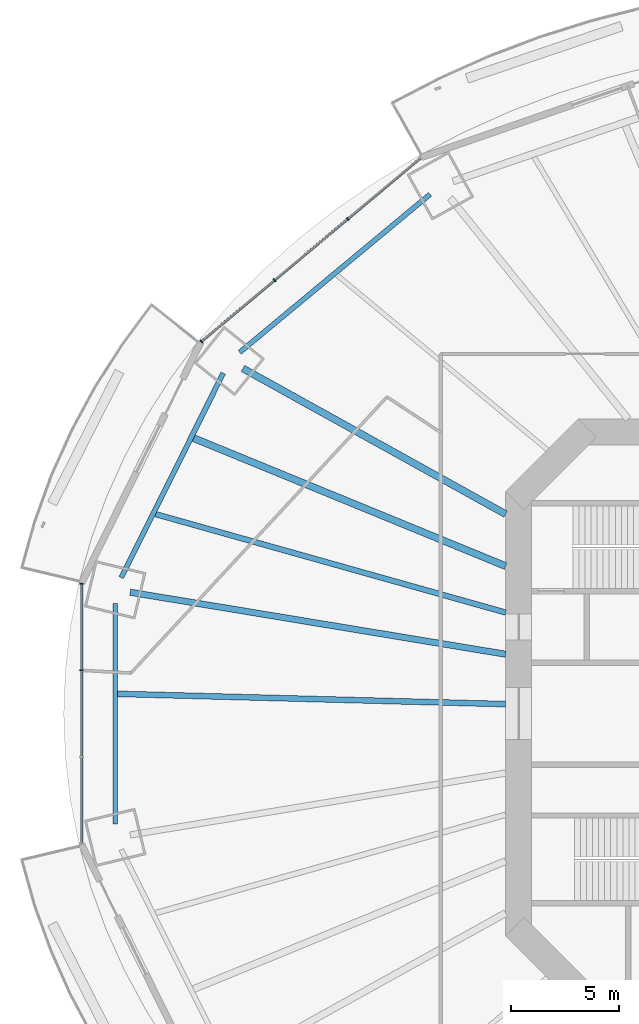
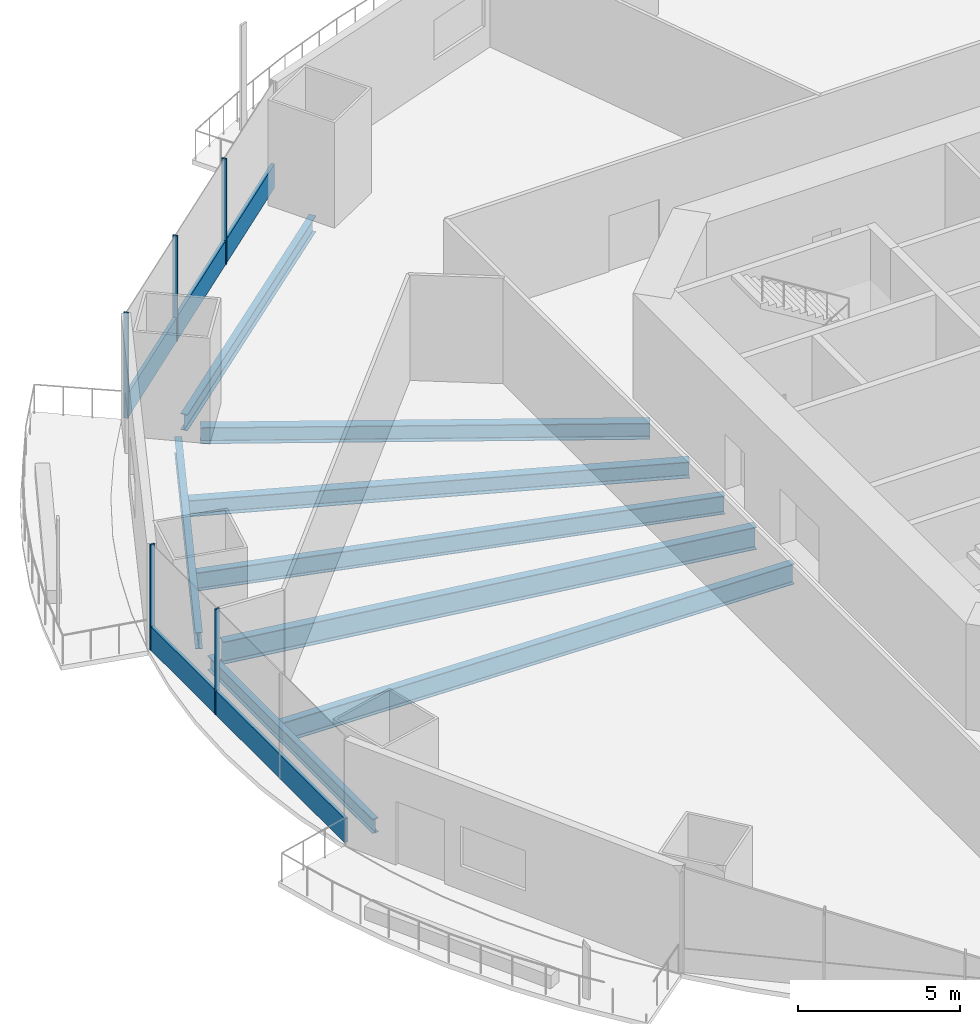
# One storey, part 6 of 23: 8 beams, 7 members, 2 elements without a shape of their own.
"""IFC4 building model written with IfcOpenShell, lengths in metres."""

from ifc_helpers import new_model, si_unit, direction, frame, origin, origin_2d, place, context, subcontext, project, spatial, rectangle, i_section, extrude, material, material_profile, profile_set, type_object, element, aggregate, save


model = new_model("IFC4")

# Units and contexts
model_context = context("Model", 3, precision=1e-05, world=origin(), true_north=direction((0.0, 1.0)))
body_context = subcontext(model_context, "Body", "Model", "MODEL_VIEW")
ifc_project = project(units=[si_unit("LENGTHUNIT", "METRE"), si_unit("AREAUNIT", "SQUARE_METRE"), si_unit("VOLUMEUNIT", "CUBIC_METRE"), si_unit("PLANEANGLEUNIT", "RADIAN"), si_unit("MASSUNIT", "GRAM", prefix="KILO")], contexts=[model_context])

# Site, building, storey
site_placement = place(None, origin())
site = spatial("IfcSite", under=ifc_project, at=site_placement, CompositionType="ELEMENT")
building_placement = place(site_placement, origin())
building = spatial("IfcBuilding", under=site, at=building_placement, Name="Marenthal Gate Tower", CompositionType="ELEMENT")
storey_placement = place(building_placement, frame((0.0, 0.0, 37.14990234375)))
storey = spatial("IfcBuildingStorey", under=building, at=storey_placement, Name="L05", CompositionType="ELEMENT", Elevation=37.14990234375)

# Curtain wall, members
ifc_material_1 = material(Name="Aluminium and glass", Category="aluminium")
curtain_wall_type = type_object("IfcCurtainWallType", Name="Curtain wall typical low", PredefinedType="NOTDEFINED", material=ifc_material_1)
curtain_wall_1_placement = place(storey_placement, origin())
curtain_wall_1 = element("IfcCurtainWall", 1, at=curtain_wall_1_placement, inside=storey, type_object=curtain_wall_type, Name="Curtain wall L05 bay 6", PredefinedType="NOTDEFINED")
ifc_material_2 = material(Name="Aluminium", Category="aluminium")
ifc_material_profile_1 = material_profile(ifc_material_2, rectangle(XDim=0.159912109375, YDim=0.06005859375, at=origin_2d()), Name="60x160 aluminium mullion")
ifc_profile_set_1 = profile_set([ifc_material_profile_1], Name="Aluminium")
member_type_1 = type_object("IfcMemberType", Name="Mullion 60x160 typical low", PredefinedType="MULLION", material=ifc_profile_set_1)
member_1_placement = place(storey_placement, frame((-23.888916015625, 22.829345703125, 0.0), z_axis=(0.0, 0.0, 1.0), x_axis=(0.641982192245, -0.76671954771, 0.0)))
member_1 = element("IfcMember", 2, at=member_1_placement, type_object=member_type_1, Name="Mullion L05 bay 6.2", PredefinedType="MULLION", context=body_context, shape_type="SweptSolid", body=[
    extrude(rectangle(XDim=0.159912109375, YDim=0.06005859375, at=origin_2d()), origin(), (0.0, 0.0, 1.0), 3.97021484375),
])
member_2_placement = place(storey_placement, frame((-27.26513671875, 20.00244140625, 0.0), z_axis=(0.0, 0.0, 1.0), x_axis=(0.641982192245, -0.76671954771, 0.0)))
member_2 = element("IfcMember", 3, at=member_2_placement, type_object=member_type_1, Name="Mullion L05 bay 6.3", PredefinedType="MULLION", context=body_context, shape_type="SweptSolid", body=[
    extrude(rectangle(XDim=0.159912109375, YDim=0.06005859375, at=origin_2d()), origin(), (0.0, 0.0, 1.0), 3.97021484375),
])
member_3_placement = place(storey_placement, frame((-30.6416015625, 17.17529296875, 0.0), z_axis=(0.0, 0.0, 1.0), x_axis=(0.641982192245, -0.76671954771, 0.0)))
member_3 = element("IfcMember", 4, at=member_3_placement, type_object=member_type_1, Name="Mullion L05 bay 6.4", PredefinedType="MULLION", context=body_context, shape_type="SweptSolid", body=[
    extrude(rectangle(XDim=0.159912109375, YDim=0.06005859375, at=origin_2d()), origin(), (0.0, 0.0, 1.0), 3.97021484375),
])

curtain_wall_2_placement = place(storey_placement, origin())
curtain_wall_2 = element("IfcCurtainWall", 5, at=curtain_wall_2_placement, inside=storey, type_object=curtain_wall_type, Name="Curtain wall L05 bay 8", PredefinedType="NOTDEFINED")
member_4_placement = place(storey_placement, frame((-36.17138671875, 5.994384765625, 0.0), z_axis=(0.0, 0.0, 1.0), x_axis=(1.0, 0.0, 0.0)))
member_4 = element("IfcMember", 6, at=member_4_placement, type_object=member_type_1, Name="Mullion L05 bay 8.1", PredefinedType="MULLION", context=body_context, shape_type="SweptSolid", body=[
    extrude(rectangle(XDim=0.159912109375, YDim=0.06005859375, at=origin_2d()), origin(), (0.0, 0.0, 1.0), 3.97021484375),
])
member_5_placement = place(storey_placement, frame((-36.17138671875, 1.998046875, 0.0), z_axis=(0.0, 0.0, 1.0), x_axis=(1.0, 0.0, 0.0)))
member_5 = element("IfcMember", 7, at=member_5_placement, type_object=member_type_1, Name="Mullion L05 bay 8.2", PredefinedType="MULLION", context=body_context, shape_type="SweptSolid", body=[
    extrude(rectangle(XDim=0.159912109375, YDim=0.06005859375, at=origin_2d()), origin(), (0.0, 0.0, 1.0), 3.97021484375),
])

# Member
ifc_material_3 = material(Name="Aluminium", Category="aluminium")
ifc_material_profile_2 = material_profile(ifc_material_3, rectangle(XDim=0.1201171875, YDim=0.89990234375, at=origin_2d()), Name="120x900 aluminium transom")
ifc_profile_set_2 = profile_set([ifc_material_profile_2], Name="Aluminium")
member_type_2 = type_object("IfcMemberType", Name="Transom 120x900 typical low", PredefinedType="USERDEFINED", material=ifc_profile_set_2)
member_6_placement = place(storey_placement, frame((-20.535400390625, 25.63720703125, 0.4501953125), z_axis=(-0.766726434385, -0.641973967397, 0.0), x_axis=(0.641973967397, -0.766726434385, 0.0)))
member_6 = element("IfcMember", 8, at=member_6_placement, type_object=member_type_2, Name="Transom L05 bay 6", ObjectType="TRANSOM", PredefinedType="USERDEFINED", context=body_context, shape_type="SweptSolid", body=[
    extrude(rectangle(XDim=0.1201171875, YDim=0.89990234375, at=origin_2d()), origin(), (0.0, 0.0, 1.0), 13.151123046875),
])

aggregate(curtain_wall_1, [member_1, member_2, member_3, member_6])

member_7_placement = place(storey_placement, frame((-36.17138671875, 5.96435546875, 0.4501953125), z_axis=(0.0, -1.0, 0.0), x_axis=(1.0, 0.0, 0.0)))
member_7 = element("IfcMember", 9, at=member_7_placement, type_object=member_type_2, Name="Transom L05 bay 8", ObjectType="TRANSOM", PredefinedType="USERDEFINED", context=body_context, shape_type="SweptSolid", body=[
    extrude(rectangle(XDim=0.1201171875, YDim=0.89990234375, at=origin_2d()), origin(), (0.0, 0.0, 1.0), 11.9287109375),
])

aggregate(curtain_wall_2, [member_4, member_5, member_7])

# Beams
ifc_material_4 = material(Name="Steel S355", Category="steel")
ifc_material_profile_3 = material_profile(ifc_material_4, i_section(OverallWidth=0.2119140625, OverallDepth=0.5439453125, WebThickness=0.01318359375, FlangeThickness=0.021240234375, FilletRadius=0.0126953125, at=origin_2d()), Name="W530X123")
ifc_profile_set_3 = profile_set([ifc_material_profile_3], Name="Steel S355")
beam_type_1 = type_object("IfcBeamType", Name="W530X123 beam", PredefinedType="BEAM", material=ifc_profile_set_3)
beam_1_placement = place(storey_placement, frame((-34.62158203125, 5.0849609375, -0.451904296875), z_axis=(0.0, -1.0, 0.0), x_axis=(1.0, 0.0, 0.0)))
element("IfcBeam", 10, at=beam_1_placement, inside=storey, type_object=beam_type_1, Name="BM-L05-48", PredefinedType="BEAM", context=body_context, shape_type="SweptSolid", body=[
    extrude(i_section(OverallWidth=0.2119140625, OverallDepth=0.5439453125, WebThickness=0.01318359375, FlangeThickness=0.021240234375, FilletRadius=0.0126953125, at=origin_2d()), origin(), (0.0, 0.0, 1.0), 10.169921875),
])
ifc_material_5 = material(Name="Steel S355", Category="steel")
ifc_material_profile_4 = material_profile(ifc_material_5, i_section(OverallWidth=0.22900390625, OverallDepth=0.612060546875, WebThickness=0.011962890625, FlangeThickness=0.01953125, FilletRadius=0.0126953125, at=origin_2d()), Name="W610X125")
ifc_profile_set_4 = profile_set([ifc_material_profile_4], Name="Steel S355")
beam_type_2 = type_object("IfcBeamType", Name="W610X125 beam", PredefinedType="BEAM", material=ifc_profile_set_4)
beam_2_placement = place(storey_placement, frame((-20.088134765625, 23.966552734375, -0.48583984375), z_axis=(-0.769467989353, -0.63868537901, 0.0), x_axis=(0.63868537901, -0.769467989353, 0.0)))
element("IfcBeam", 11, at=beam_2_placement, inside=storey, type_object=beam_type_2, Name="BM-L05-46", PredefinedType="BEAM", context=body_context, shape_type="SweptSolid", body=[
    extrude(i_section(OverallWidth=0.22900390625, OverallDepth=0.612060546875, WebThickness=0.011962890625, FlangeThickness=0.01953125, FilletRadius=0.0126953125, at=origin_2d()), origin(), (0.0, 0.0, 1.0), 11.415283203125),
])
beam_3_placement = place(storey_placement, frame((-29.63037109375, 15.71826171875, -0.48583984375), z_axis=(-0.446519173672, -0.894774065082, 0.0), x_axis=(0.894774065082, -0.446519173672, 0.0)))
element("IfcBeam", 12, at=beam_3_placement, inside=storey, type_object=beam_type_2, Name="BM-L05-47", PredefinedType="BEAM", context=body_context, shape_type="SweptSolid", body=[
    extrude(i_section(OverallWidth=0.22900390625, OverallDepth=0.612060546875, WebThickness=0.011962890625, FlangeThickness=0.01953125, FilletRadius=0.0126953125, at=origin_2d()), origin(), (0.0, 0.0, 1.0), 10.54931640625),
])
ifc_material_6 = material(Name="Steel S355", Category="steel")
ifc_material_profile_5 = material_profile(ifc_material_6, i_section(OverallWidth=0.324951171875, OverallDepth=0.612060546875, WebThickness=0.0126953125, FlangeThickness=0.01904296875, FilletRadius=0.0126953125, at=origin_2d()), Name="W610X155")
ifc_profile_set_5 = profile_set([ifc_material_profile_5], Name="Steel S355")
beam_type_3 = type_object("IfcBeamType", Name="W610X155 beam", PredefinedType="BEAM", material=ifc_profile_set_5)
beam_4_placement = place(storey_placement, frame((-28.72314453125, 15.929931640625, -0.48583984375), z_axis=(0.874513423091, -0.485001312198, 0.0), x_axis=(0.485001312198, 0.874513423091, 0.0)))
element("IfcBeam", 13, at=beam_4_placement, inside=storey, type_object=beam_type_3, Name="BM-L05-07", PredefinedType="BEAM", context=body_context, shape_type="SweptSolid", body=[
    extrude(i_section(OverallWidth=0.324951171875, OverallDepth=0.612060546875, WebThickness=0.0126953125, FlangeThickness=0.01904296875, FilletRadius=0.0126953125, at=origin_2d()), origin(), (0.0, 0.0, 1.0), 13.862548828125),
])
beam_5_placement = place(storey_placement, frame((-31.001708984375, 12.7138671875, -0.48583984375), z_axis=(0.925221568218, -0.379427265367, 0.0), x_axis=(0.379427265367, 0.925221568218, 0.0)))
element("IfcBeam", 14, at=beam_5_placement, inside=storey, type_object=beam_type_3, Name="BM-L05-26", PredefinedType="BEAM", context=body_context, shape_type="SweptSolid", body=[
    extrude(i_section(OverallWidth=0.324951171875, OverallDepth=0.612060546875, WebThickness=0.0126953125, FlangeThickness=0.01904296875, FilletRadius=0.0126953125, at=origin_2d()), origin(), (0.0, 0.0, 1.0), 15.565673828125),
])
ifc_material_7 = material(Name="Steel S355", Category="steel")
ifc_material_profile_6 = material_profile(ifc_material_7, i_section(OverallWidth=0.257080078125, OverallDepth=0.693115234375, WebThickness=0.014404296875, FlangeThickness=0.023681640625, FilletRadius=0.015380859375, at=origin_2d()), Name="W690X170")
ifc_profile_set_6 = profile_set([ifc_material_profile_6], Name="Steel S355")
beam_type_4 = type_object("IfcBeamType", Name="W690X170 beam", PredefinedType="BEAM", material=ifc_profile_set_6)
beam_6_placement = place(storey_placement, frame((-32.75244140625, 9.205322265625, -0.5263671875), z_axis=(0.962698331576, -0.270577017467, 0.0), x_axis=(0.270577017467, 0.962698331576, 0.0)))
element("IfcBeam", 15, at=beam_6_placement, inside=storey, type_object=beam_type_4, Name="BM-L05-27", PredefinedType="BEAM", context=body_context, shape_type="SweptSolid", body=[
    extrude(i_section(OverallWidth=0.257080078125, OverallDepth=0.693115234375, WebThickness=0.014404296875, FlangeThickness=0.023681640625, FilletRadius=0.015380859375, at=origin_2d()), origin(), (0.0, 0.0, 1.0), 16.7783203125),
])
ifc_material_8 = material(Name="Steel S355", Category="steel")
ifc_material_profile_7 = material_profile(ifc_material_8, i_section(OverallWidth=0.26708984375, OverallDepth=0.761962890625, WebThickness=0.014404296875, FlangeThickness=0.021484375, FilletRadius=0.0166015625, at=origin_2d()), Name="W760X173")
ifc_profile_set_7 = profile_set([ifc_material_profile_7], Name="Steel S355")
beam_type_5 = type_object("IfcBeamType", Name="W760X173 beam", PredefinedType="BEAM", material=ifc_profile_set_7)
beam_7_placement = place(storey_placement, frame((-34.515625, 0.911865234375, -0.560791015625), z_axis=(0.999651085361, -0.026414154078, 0.0), x_axis=(0.026414154078, 0.999651085361, 0.0)))
element("IfcBeam", 16, at=beam_7_placement, inside=storey, type_object=beam_type_5, Name="BM-L05-28", PredefinedType="BEAM", context=body_context, shape_type="SweptSolid", body=[
    extrude(i_section(OverallWidth=0.26708984375, OverallDepth=0.761962890625, WebThickness=0.014404296875, FlangeThickness=0.021484375, FilletRadius=0.0166015625, at=origin_2d()), origin(), (0.0, 0.0, 1.0), 17.921875),
])
ifc_material_9 = material(Name="Steel S355", Category="steel")
ifc_material_profile_8 = material_profile(ifc_material_9, i_section(OverallWidth=0.2919921875, OverallDepth=0.841064453125, WebThickness=0.0146484375, FlangeThickness=0.021728515625, FilletRadius=0.017822265625, at=origin_2d()), Name="W840X193")
ifc_profile_set_8 = profile_set([ifc_material_profile_8], Name="Steel S355")
beam_type_6 = type_object("IfcBeamType", Name="W840X193 beam", PredefinedType="BEAM", material=ifc_profile_set_8)
beam_8_placement = place(storey_placement, frame((-33.927978515625, 5.6015625, -0.600341796875), z_axis=(0.986643376601, -0.162895203762, 0.0), x_axis=(0.162895203762, 0.986643376601, 0.0)))
element("IfcBeam", 17, at=beam_8_placement, inside=storey, type_object=beam_type_6, Name="BM-L05-08", PredefinedType="BEAM", context=body_context, shape_type="SweptSolid", body=[
    extrude(i_section(OverallWidth=0.2919921875, OverallDepth=0.841064453125, WebThickness=0.0146484375, FlangeThickness=0.021728515625, FilletRadius=0.017822265625, at=origin_2d()), origin(), (0.0, 0.0, 1.0), 17.5625),
])

save(model, "model.ifc")
